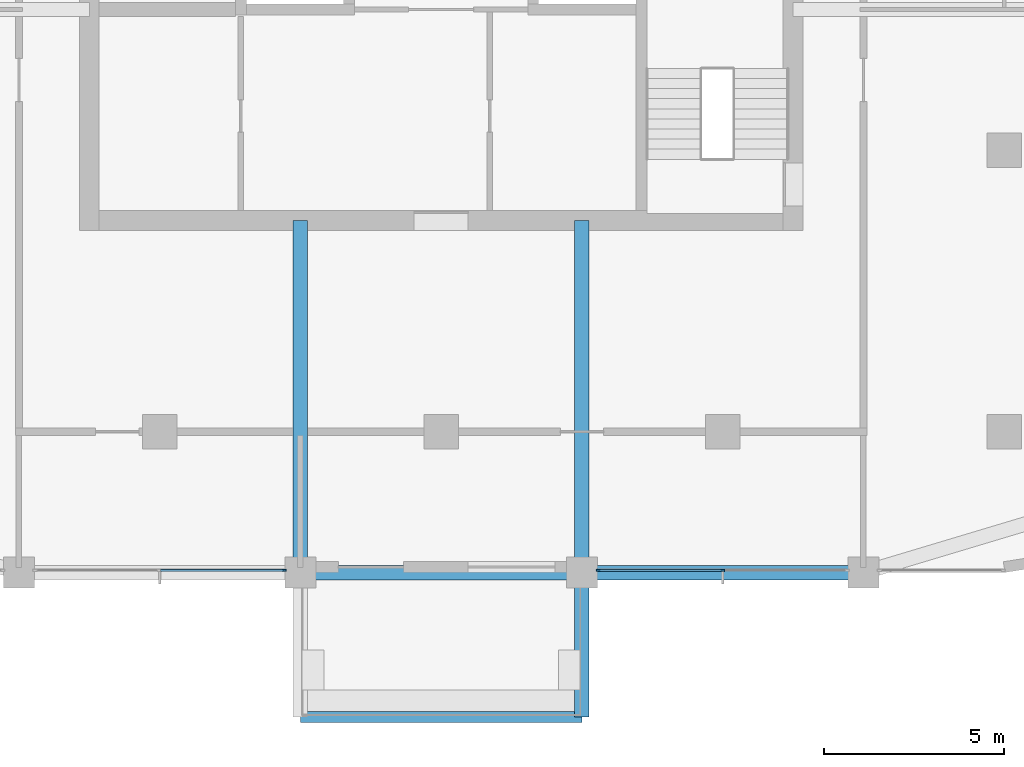
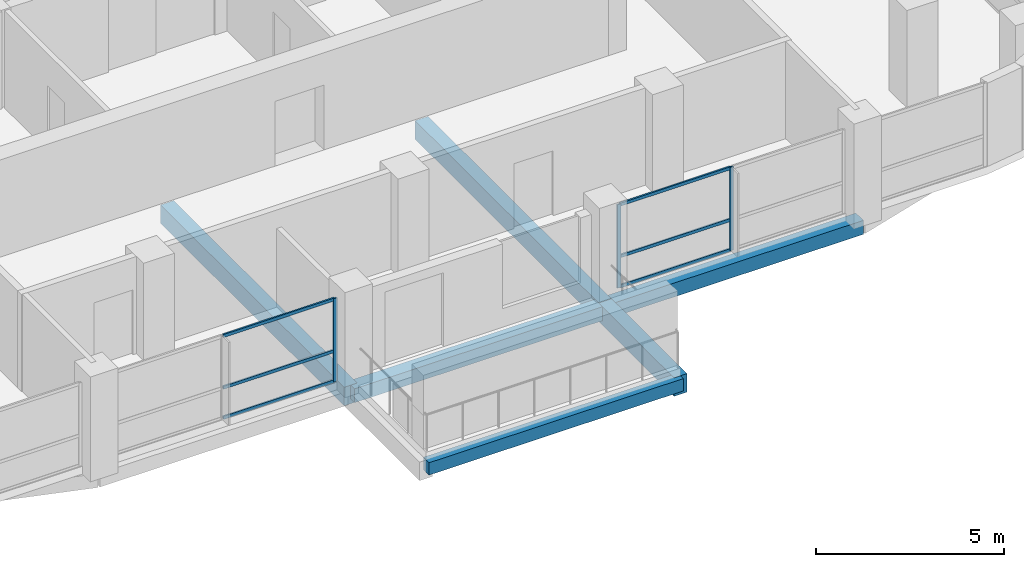
# One storey, part 3 of 19: 9 members, 6 beams, 2 elements without a shape of their own.
"""IFC4 building model written with IfcOpenShell, lengths in metres."""

from ifc_helpers import new_model, si_unit, direction, frame, origin, origin_2d, place, context, subcontext, project, spatial, rectangle, extrude, material, material_profile, profile_set, type_object, element, aggregate, save


model = new_model("IFC4")

# Units and contexts
model_context = context("Model", 3, precision=1e-05, world=origin(), true_north=direction((0.0, 1.0)))
body_context = subcontext(model_context, "Body", "Model", "MODEL_VIEW")
ifc_project = project(units=[si_unit("LENGTHUNIT", "METRE"), si_unit("AREAUNIT", "SQUARE_METRE"), si_unit("VOLUMEUNIT", "CUBIC_METRE"), si_unit("PLANEANGLEUNIT", "RADIAN"), si_unit("MASSUNIT", "GRAM", prefix="KILO")], contexts=[model_context])

# Site, building, storey
site_placement = place(None, origin())
site = spatial("IfcSite", under=ifc_project, at=site_placement, CompositionType="ELEMENT")
building_placement = place(site_placement, origin())
building = spatial("IfcBuilding", under=site, at=building_placement, Name="Ludao Terraces", CompositionType="ELEMENT")
storey_placement = place(building_placement, frame((0.0, 0.0, 133.89990234375)))
storey = spatial("IfcBuildingStorey", under=building, at=storey_placement, Name="L36", CompositionType="ELEMENT", Elevation=133.89990234375)

# Curtain wall, member
ifc_material_1 = material(Name="Aluminium curtain wall with fritted glass", Category="aluminium")
curtain_wall_type = type_object("IfcCurtainWallType", Name="ENV CW3 community glazing", PredefinedType="NOTDEFINED", material=ifc_material_1)
curtain_wall_1_placement = place(storey_placement, origin())
curtain_wall_1 = element("IfcCurtainWall", 1, at=curtain_wall_1_placement, inside=storey, type_object=curtain_wall_type, Name="Community floor glazing L36 S2", PredefinedType="NOTDEFINED")
ifc_material_2 = material(Name="Aluminium 6063-T6", Category="aluminium")
ifc_material_profile_1 = material_profile(ifc_material_2, rectangle(XDim=0.050048828125, YDim=0.1201171875, at=origin_2d()), Name="50 X 120")
ifc_profile_set_1 = profile_set([ifc_material_profile_1], Name="Aluminium 6063-T6")
member_type_1 = type_object("IfcMemberType", Name="ENV CW3 mullion 50x120", PredefinedType="MULLION", material=ifc_profile_set_1)
member_1_placement = place(storey_placement, frame((80.64990234375, 45.56005859375, 0.0), z_axis=(0.0, 0.0, 1.0), x_axis=(0.0, 1.0, 0.0)))
member_1 = element("IfcMember", 2, at=member_1_placement, type_object=member_type_1, Name="CW3 mullion 3", PredefinedType="MULLION", context=body_context, shape_type="SweptSolid", body=[
    extrude(rectangle(XDim=0.050048828125, YDim=0.1201171875, at=origin_2d()), origin(), (0.0, 0.0, 1.0), 2.7001953125),
])

# Curtain wall, members
curtain_wall_2_placement = place(storey_placement, origin())
curtain_wall_2 = element("IfcCurtainWall", 3, at=curtain_wall_2_placement, inside=storey, type_object=curtain_wall_type, Name="Community floor glazing L36 S4", PredefinedType="NOTDEFINED")
member_2_placement = place(storey_placement, frame((89.35009765625, 45.56005859375, 0.0), z_axis=(0.0, 0.0, 1.0), x_axis=(0.0, 1.0, 0.0)))
member_2 = element("IfcMember", 4, at=member_2_placement, type_object=member_type_1, Name="CW3 mullion 1", PredefinedType="MULLION", context=body_context, shape_type="SweptSolid", body=[
    extrude(rectangle(XDim=0.050048828125, YDim=0.1201171875, at=origin_2d()), origin(), (0.0, 0.0, 1.0), 2.7001953125),
])
member_3_placement = place(storey_placement, frame((92.800048828125, 45.56005859375, 0.0), z_axis=(0.0, 0.0, 1.0), x_axis=(0.0, 1.0, 0.0)))
member_3 = element("IfcMember", 5, at=member_3_placement, type_object=member_type_1, Name="CW3 mullion 2", PredefinedType="MULLION", context=body_context, shape_type="SweptSolid", body=[
    extrude(rectangle(XDim=0.050048828125, YDim=0.1201171875, at=origin_2d()), origin(), (0.0, 0.0, 1.0), 2.7001953125),
])

# Member
ifc_material_profile_2 = material_profile(ifc_material_2, rectangle(XDim=0.050048828125, YDim=0.10009765625, at=origin_2d()), Name="50 X 100")
ifc_profile_set_2 = profile_set([ifc_material_profile_2], Name="Aluminium 6063-T6")
member_type_2 = type_object("IfcMemberType", Name="ENV CW3 transom 50x100", PredefinedType="USERDEFINED", material=ifc_profile_set_2)
member_4_placement = place(storey_placement, frame((77.22509765625, 45.56005859375, 0.025146484375), z_axis=(1.0, 0.0, 0.0), x_axis=(0.0, 1.0, 0.0)))
member_4 = element("IfcMember", 6, at=member_4_placement, type_object=member_type_2, Name="CW3 transom 2.1", ObjectType="TRANSOM", PredefinedType="USERDEFINED", context=body_context, shape_type="SweptSolid", body=[
    extrude(rectangle(XDim=0.050048828125, YDim=0.10009765625, at=origin_2d()), origin(), (0.0, 0.0, 1.0), 3.39990234375),
])

member_5_placement = place(storey_placement, frame((77.22509765625, 45.56005859375, 1.0), z_axis=(1.0, 0.0, 0.0), x_axis=(0.0, 1.0, 0.0)))
member_5 = element("IfcMember", 7, at=member_5_placement, type_object=member_type_2, Name="CW3 transom 2.2", ObjectType="TRANSOM", PredefinedType="USERDEFINED", context=body_context, shape_type="SweptSolid", body=[
    extrude(rectangle(XDim=0.050048828125, YDim=0.10009765625, at=origin_2d()), origin(), (0.0, 0.0, 1.0), 3.39990234375),
])

member_6_placement = place(storey_placement, frame((77.22509765625, 45.56005859375, 2.675048828125), z_axis=(1.0, 0.0, 0.0), x_axis=(0.0, 1.0, 0.0)))
member_6 = element("IfcMember", 8, at=member_6_placement, type_object=member_type_2, Name="CW3 transom 2.3", ObjectType="TRANSOM", PredefinedType="USERDEFINED", context=body_context, shape_type="SweptSolid", body=[
    extrude(rectangle(XDim=0.050048828125, YDim=0.10009765625, at=origin_2d()), origin(), (0.0, 0.0, 1.0), 3.39990234375),
])

aggregate(curtain_wall_1, [member_1, member_4, member_5, member_6])

member_7_placement = place(storey_placement, frame((89.375, 45.56005859375, 0.025146484375), z_axis=(1.0, 0.0, 0.0), x_axis=(0.0, 1.0, 0.0)))
member_7 = element("IfcMember", 9, at=member_7_placement, type_object=member_type_2, Name="CW3 transom 1.1", ObjectType="TRANSOM", PredefinedType="USERDEFINED", context=body_context, shape_type="SweptSolid", body=[
    extrude(rectangle(XDim=0.050048828125, YDim=0.10009765625, at=origin_2d()), origin(), (0.0, 0.0, 1.0), 3.39990234375),
])

member_8_placement = place(storey_placement, frame((89.375, 45.56005859375, 1.0), z_axis=(1.0, 0.0, 0.0), x_axis=(0.0, 1.0, 0.0)))
member_8 = element("IfcMember", 10, at=member_8_placement, type_object=member_type_2, Name="CW3 transom 1.2", ObjectType="TRANSOM", PredefinedType="USERDEFINED", context=body_context, shape_type="SweptSolid", body=[
    extrude(rectangle(XDim=0.050048828125, YDim=0.10009765625, at=origin_2d()), origin(), (0.0, 0.0, 1.0), 3.39990234375),
])

member_9_placement = place(storey_placement, frame((89.375, 45.56005859375, 2.675048828125), z_axis=(1.0, 0.0, 0.0), x_axis=(0.0, 1.0, 0.0)))
member_9 = element("IfcMember", 11, at=member_9_placement, type_object=member_type_2, Name="CW3 transom 1.3", ObjectType="TRANSOM", PredefinedType="USERDEFINED", context=body_context, shape_type="SweptSolid", body=[
    extrude(rectangle(XDim=0.050048828125, YDim=0.10009765625, at=origin_2d()), origin(), (0.0, 0.0, 1.0), 3.39990234375),
])

aggregate(curtain_wall_2, [member_2, member_3, member_7, member_8, member_9])

# Beams
ifc_material_3 = material(Name="Concrete C40", Category="concrete")
ifc_material_profile_3 = material_profile(ifc_material_3, rectangle(XDim=0.300048828125, YDim=0.39990234375, at=origin_2d()), Name="300 X 400")
ifc_profile_set_3 = profile_set([ifc_material_profile_3], Name="Concrete C40")
beam_type_1 = type_object("IfcBeamType", Name="RC beam 300x400 C40", PredefinedType="BEAM", material=ifc_profile_set_3)
beam_1_placement = place(storey_placement, frame((81.10009765625, 41.5, -0.449951171875), z_axis=(1.0, 0.0, 0.0), x_axis=(0.0, 1.0, 0.0)))
element("IfcBeam", 12, at=beam_1_placement, inside=storey, type_object=beam_type_1, Name="Balcony edge beam L36 S1", PredefinedType="BEAM", context=body_context, shape_type="SweptSolid", body=[
    extrude(rectangle(XDim=0.300048828125, YDim=0.39990234375, at=origin_2d()), origin(), (0.0, 0.0, 1.0), 7.7998046875),
])
ifc_material_profile_4 = material_profile(ifc_material_3, rectangle(XDim=0.39990234375, YDim=0.449951171875, at=origin_2d()), Name="400 X 450")
ifc_profile_set_4 = profile_set([ifc_material_profile_4], Name="Concrete C40")
beam_type_2 = type_object("IfcBeamType", Name="RC beam 400x450 C40", PredefinedType="BEAM", material=ifc_profile_set_4)
beam_2_placement = place(storey_placement, frame((81.10009765625, 45.5, -0.474853515625), z_axis=(1.0, 0.0, 0.0), x_axis=(0.0, 1.0, 0.0)))
element("IfcBeam", 13, at=beam_2_placement, inside=storey, type_object=beam_type_2, Name="Spandrel beam L36 S3", PredefinedType="BEAM", context=body_context, shape_type="SweptSolid", body=[
    extrude(rectangle(XDim=0.39990234375, YDim=0.449951171875, at=origin_2d()), origin(), (0.0, 0.0, 1.0), 7.7998046875),
])
beam_3_placement = place(storey_placement, frame((88.89990234375, 45.5, -0.474853515625), z_axis=(1.0, 0.0, 0.0), x_axis=(0.0, 1.0, 0.0)))
element("IfcBeam", 14, at=beam_3_placement, inside=storey, type_object=beam_type_2, Name="Spandrel beam L36 S4", PredefinedType="BEAM", context=body_context, shape_type="SweptSolid", body=[
    extrude(rectangle(XDim=0.39990234375, YDim=0.449951171875, at=origin_2d()), origin(), (0.0, 0.0, 1.0), 7.800048828125),
])
ifc_material_profile_5 = material_profile(ifc_material_3, rectangle(XDim=0.39990234375, YDim=0.60009765625, at=origin_2d()), Name="400 X 600")
ifc_profile_set_5 = profile_set([ifc_material_profile_5], Name="Concrete C40")
beam_type_3 = type_object("IfcBeamType", Name="RC beam 400x600 C40", PredefinedType="BEAM", material=ifc_profile_set_5)
for number, where, z_axis, x_axis, name in (
    (15, (81.10009765625, 55.25, -0.5498046875), (0.0, -1.0, 0.0), (1.0, 0.0, 0.0), "Balcony beam L36 S811"),
    (16, (88.89990234375, 55.25, -0.5498046875), (0.0, -1.0, 0.0), (1.0, 0.0, 0.0), "Balcony beam L36 S889"),
):
    element("IfcBeam", number, at=place(storey_placement, frame(where, z_axis=z_axis, x_axis=x_axis)), inside=storey, type_object=beam_type_3, Name=name, PredefinedType="BEAM", context=body_context, shape_type="SweptSolid", body=[
        extrude(rectangle(XDim=0.39990234375, YDim=0.60009765625, at=origin_2d()), origin(), (0.0, 0.0, 1.0), 9.75),
    ])
beam_4_placement = place(storey_placement, frame((88.89990234375, 45.5, -0.5498046875), z_axis=(0.0, -1.0, 0.0), x_axis=(1.0, 0.0, 0.0)))
element("IfcBeam", 17, at=beam_4_placement, inside=storey, type_object=beam_type_3, Name="Balcony beam L36 S889", PredefinedType="BEAM", context=body_context, shape_type="SweptSolid", body=[
    extrude(rectangle(XDim=0.39990234375, YDim=0.60009765625, at=origin_2d()), origin(), (0.0, 0.0, 1.0), 4.0),
])

save(model, "model.ifc")
